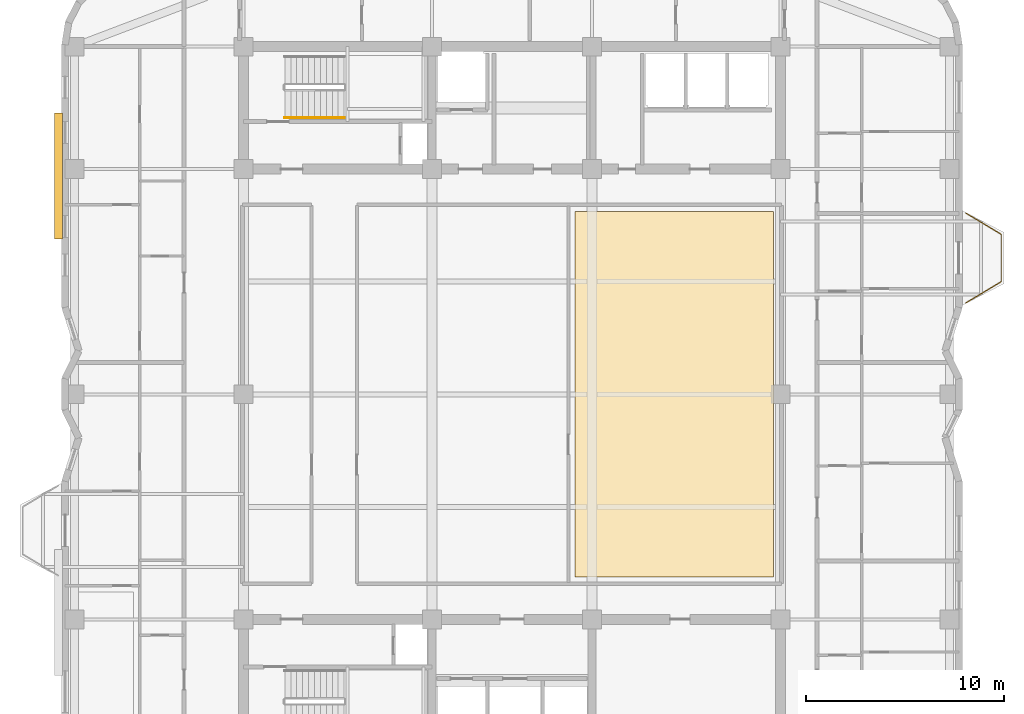
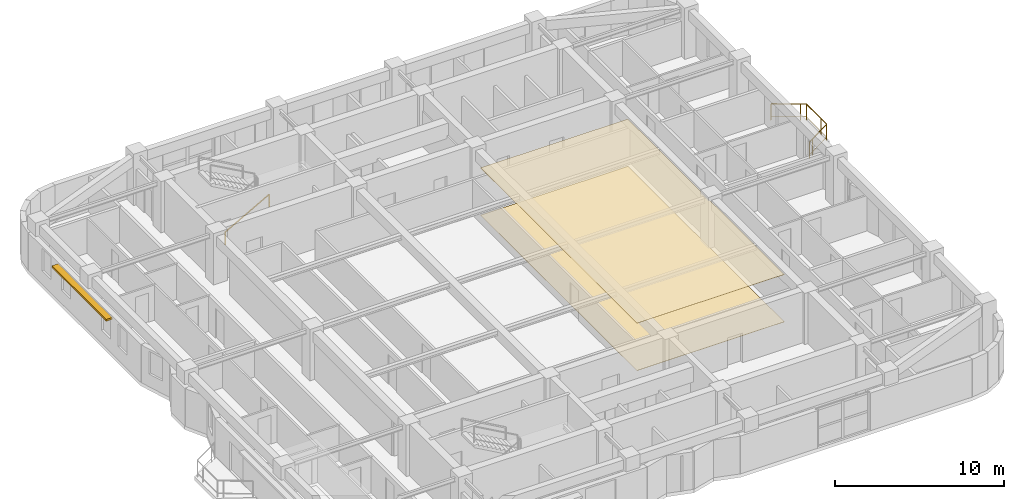
# One storey, part 11 of 12: 2 coverings, 2 railings, 1 shading device.
"""IFC4 building model written with IfcOpenShell, lengths in metres."""

from ifc_helpers import new_model, si_unit, direction, frame, origin, origin_2d, place, context, subcontext, project, spatial, polyline, rectangle, outline, extrude, material, layer, layer_set, type_object, element, save


model = new_model("IFC4")

# Units and contexts
model_context = context("Model", 3, precision=1e-05, world=origin(), true_north=direction((0.0, 1.0)))
body_context = subcontext(model_context, "Body", "Model", "MODEL_VIEW")
ifc_project = project(units=[si_unit("LENGTHUNIT", "METRE"), si_unit("AREAUNIT", "SQUARE_METRE"), si_unit("VOLUMEUNIT", "CUBIC_METRE"), si_unit("PLANEANGLEUNIT", "RADIAN"), si_unit("MASSUNIT", "GRAM", prefix="KILO")], contexts=[model_context])

# Site, building, storey
site_placement = place(None, origin())
site = spatial("IfcSite", under=ifc_project, at=site_placement, CompositionType="ELEMENT")
building_placement = place(site_placement, origin())
building = spatial("IfcBuilding", under=site, at=building_placement, Name="Svetorya Sky Lyceum", CompositionType="ELEMENT")
storey_placement = place(building_placement, frame((0.0, 0.0, 177.39990234375)))
storey = spatial("IfcBuildingStorey", under=building, at=storey_placement, Name="L44", CompositionType="ELEMENT", Elevation=177.39990234375)

# Coverings
ifc_material_1 = material(Name="Mineral-fibre classroom acoustic ceiling tile")
ifc_layer_1 = layer(ifc_material_1, 0.02392578125)
ifc_layer_set_1 = layer_set([ifc_layer_1], Name="Mineral-fibre classroom acoustic ceiling tile")
covering_type_1 = type_object("IfcCoveringType", Name="COV-CLG-AC24", PredefinedType="CEILING", material=ifc_layer_set_1)
covering_1_placement = place(storey_placement, frame((0.0, 0.0, 3.416015625)))
element("IfcCovering", 1, at=covering_1_placement, inside=storey, type_object=covering_type_1, Name="Recreation Hall L44 East Acoustic Ceiling", PredefinedType="CEILING", context=body_context, shape_type="SweptSolid", body=[
    extrude(outline(polyline([(42.389892578125, 18.949951171875), (52.449951171875, 18.949951171875), (52.449951171875, 37.449951171875), (42.389892578125, 37.449951171875), (42.389892578125, 18.949951171875)])), origin(), (0.0, 0.0, 1.0), 0.024169921875),
])
ifc_material_2 = material(Name="Engineered Nordic oak parquet flooring")
ifc_layer_2 = layer(ifc_material_2, 0.02197265625)
ifc_layer_set_2 = layer_set([ifc_layer_2], Name="Engineered Nordic oak parquet flooring")
covering_type_2 = type_object("IfcCoveringType", Name="COV-FLR-OAK", PredefinedType="FLOORING", material=ifc_layer_set_2)
covering_2_placement = place(storey_placement, origin())
element("IfcCovering", 2, at=covering_2_placement, inside=storey, type_object=covering_type_2, Name="Recreation Hall L44 East Architectural Flooring", PredefinedType="FLOORING", context=body_context, shape_type="SweptSolid", body=[
    extrude(outline(polyline([(42.389892578125, 18.949951171875), (52.449951171875, 18.949951171875), (52.449951171875, 37.449951171875), (42.389892578125, 37.449951171875), (42.389892578125, 18.949951171875)])), origin(), (0.0, 0.0, 1.0), 0.022216796875),
])

# Railings
ifc_material_3 = material(Name="Laminated safety glass and stainless AISI 316", Category="glass")
railing_type_1 = type_object("IfcRailingType", Name="RL-BAL-1200", PredefinedType="BALUSTRADE", material=ifc_material_3)
railing_1_placement = place(storey_placement, frame((62.169921875, 37.3798828125, 0.0)))
element("IfcRailing", 3, at=railing_1_placement, inside=storey, type_object=railing_type_1, Name="L44 Balcony Balustrade BAL-E1", PredefinedType="BALUSTRADE", context=body_context, shape_type="SweptSolid", body=[
    extrude(rectangle(XDim=0.048095703125, YDim=0.048095703125, at=origin_2d()), frame((0.0, 0.0, 1.17578125), z_axis=(0.85753397263, -0.514427337711, 0.0), x_axis=(0.514427337711, 0.85753397263, 0.0)), (0.0, 0.0, 1.0), 2.09912109375),
    extrude(rectangle(XDim=0.02392578125, YDim=0.02392578125, at=origin_2d()), frame((0.0, 0.0, 0.25), z_axis=(0.85753397263, -0.514427337711, 0.0), x_axis=(0.514427337711, 0.85753397263, 0.0)), (0.0, 0.0, 1.0), 2.09912109375),
    extrude(rectangle(XDim=0.048095703125, YDim=0.048095703125, at=origin_2d()), frame((1.800048828125, -1.079833984375, 1.17578125), z_axis=(0.0, -1.0, 0.0), x_axis=(1.0, 0.0, 0.0)), (0.0, 0.0, 1.0), 2.400146484375),
    extrude(rectangle(XDim=0.02392578125, YDim=0.02392578125, at=origin_2d()), frame((1.800048828125, -1.079833984375, 0.25), z_axis=(0.0, -1.0, 0.0), x_axis=(1.0, 0.0, 0.0)), (0.0, 0.0, 1.0), 2.400146484375),
    extrude(rectangle(XDim=0.048095703125, YDim=0.048095703125, at=origin_2d()), frame((1.800048828125, -3.47998046875, 1.17578125), z_axis=(-0.85753397263, -0.514427337711, 0.0), x_axis=(0.514427337711, -0.85753397263, 0.0)), (0.0, 0.0, 1.0), 2.09912109375),
    extrude(rectangle(XDim=0.02392578125, YDim=0.02392578125, at=origin_2d()), frame((1.800048828125, -3.47998046875, 0.25), z_axis=(-0.85753397263, -0.514427337711, 0.0), x_axis=(0.514427337711, -0.85753397263, 0.0)), (0.0, 0.0, 1.0), 2.09912109375),
    extrude(rectangle(XDim=0.0419921875, YDim=0.0419921875, at=origin_2d()), origin(), (0.0, 0.0, 1.0), 1.15185546875),
    extrude(rectangle(XDim=0.0419921875, YDim=0.0419921875, at=origin_2d()), frame((1.500732421875, -0.900146484375, 0.0)), (0.0, 0.0, 1.0), 1.15185546875),
    extrude(rectangle(XDim=0.0419921875, YDim=0.0419921875, at=origin_2d()), frame((1.800048828125, -1.079833984375, 0.0)), (0.0, 0.0, 1.0), 1.15185546875),
    extrude(rectangle(XDim=0.0419921875, YDim=0.0419921875, at=origin_2d()), frame((1.800048828125, -2.829833984375, 0.0)), (0.0, 0.0, 1.0), 1.15185546875),
    extrude(rectangle(XDim=0.0419921875, YDim=0.0419921875, at=origin_2d()), frame((1.800048828125, -3.47998046875, 0.0)), (0.0, 0.0, 1.0), 1.15185546875),
    extrude(rectangle(XDim=0.0419921875, YDim=0.0419921875, at=origin_2d()), frame((0.29931640625, -4.380126953125, 0.0)), (0.0, 0.0, 1.0), 1.15185546875),
    extrude(rectangle(XDim=0.0419921875, YDim=0.0419921875, at=origin_2d()), frame((0.0, -4.559814453125, 0.0)), (0.0, 0.0, 1.0), 1.15185546875),
])
ifc_material_4 = material(Name="Brushed stainless AISI 304 stair handrail")
railing_type_2 = type_object("IfcRailingType", Name="RL-STR-HAND-920", PredefinedType="HANDRAIL", material=ifc_material_4)
railing_2_placement = place(storey_placement, frame((27.699951171875, 42.199951171875, 0.168212890625)))
element("IfcRailing", 4, at=railing_2_placement, inside=storey, type_object=railing_type_2, Name="L44 ST-N stair handrail 1", PredefinedType="HANDRAIL", context=body_context, shape_type="SweptSolid", body=[
    extrude(rectangle(XDim=0.048095703125, YDim=0.048095703125, at=origin_2d()), frame((0.0, 0.0, 0.8759765625), z_axis=(0.872272294576, 0.0, 0.489020494575), x_axis=(0.0, 1.0, 0.0)), (0.0, 0.0, 1.0), 3.439208984375),
    extrude(rectangle(XDim=0.0419921875, YDim=0.0419921875, at=origin_2d()), origin(), (0.0, 0.0, 1.0), 0.851806640625),
    extrude(rectangle(XDim=0.0419921875, YDim=0.0419921875, at=origin_2d()), frame((3.0, 0.0, 1.681884765625)), (0.0, 0.0, 1.0), 0.851806640625),
])

# Shading device
ifc_material_5 = material(Name="Champagne-anodized extruded aluminium solar fin", Category="aluminium")
ifc_layer_3 = layer(ifc_material_5, 0.139892578125)
ifc_layer_set_3 = layer_set([ifc_layer_3], Name="Champagne-anodized extruded aluminium solar fin")
shading_device_type = type_object("IfcShadingDeviceType", Name="SHD-FIN-420", PredefinedType="JALOUSIE", material=ifc_layer_set_3)
shading_device_placement = place(storey_placement, frame((16.239990234375, 39.25, 2.43017578125), z_axis=(0.0, 0.0, 1.0), x_axis=(1.0, 0.0, 0.0)))
element("IfcShadingDevice", 5, at=shading_device_placement, inside=storey, type_object=shading_device_type, Name="L44 Solar Brise-Soleil SHD-2.40M", PredefinedType="JALOUSIE", context=body_context, shape_type="SweptSolid", body=[
    extrude(rectangle(XDim=0.419921875, YDim=6.39990234375, at=origin_2d()), origin(), (0.0, 0.0, 1.0), 0.139892578125),
])

save(model, "model.ifc")
